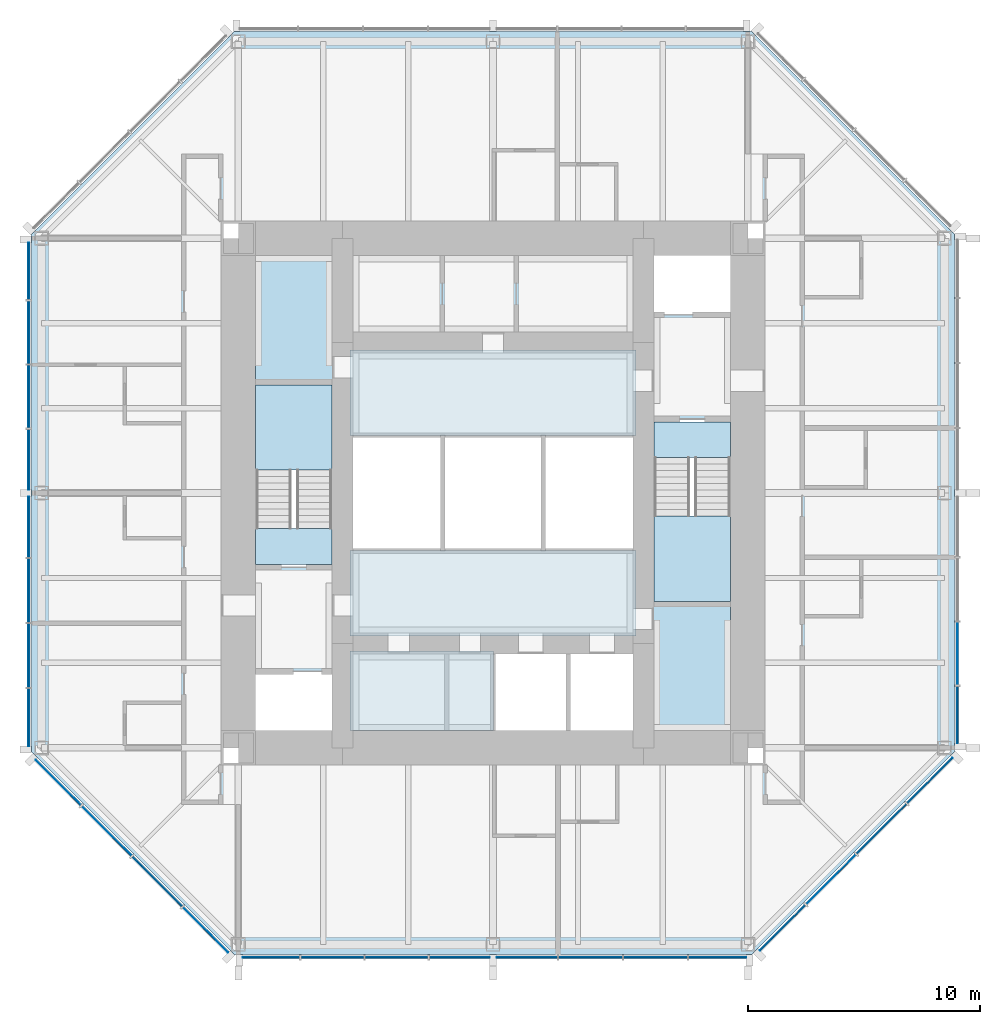
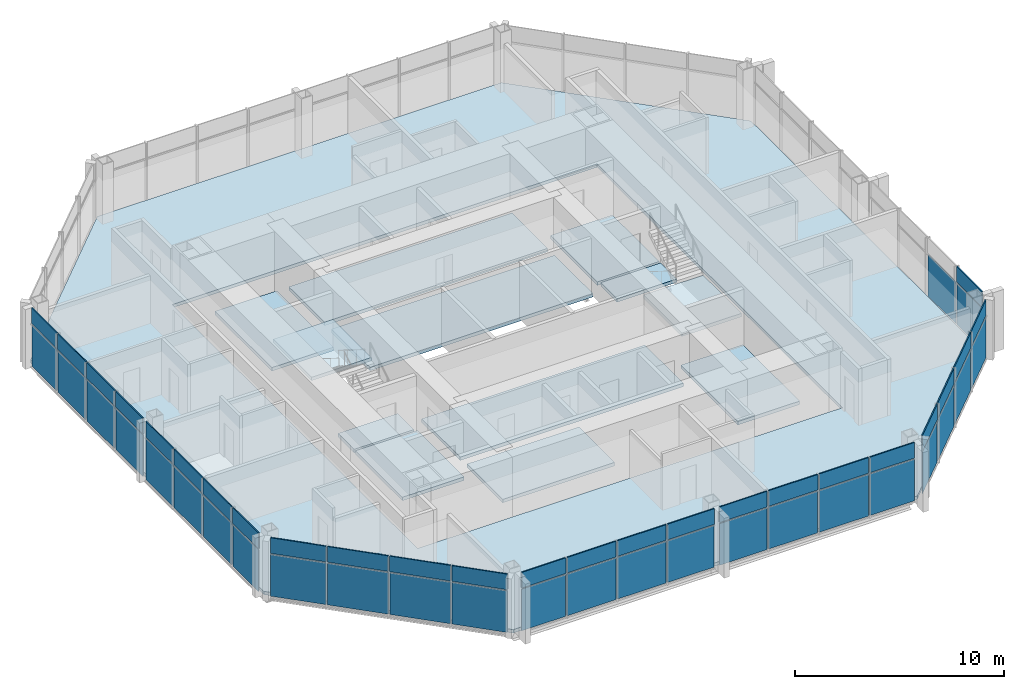
# One storey, part 6 of 11: 51 plates, 13 slabs, 7 elements without a shape of their own.
"""IFC4 building model written with IfcOpenShell, lengths in metres."""

from ifc_helpers import new_model, si_unit, direction, frame, origin, origin_2d, place, context, subcontext, project, spatial, polyline, rectangle, outline, extrude, material, layer, layer_set, type_object, element, aggregate, save


model = new_model("IFC4")

# Units and contexts
model_context = context("Model", 3, precision=1e-05, world=origin(), true_north=direction((0.0, 1.0)))
body_context = subcontext(model_context, "Body", "Model", "MODEL_VIEW")
ifc_project = project(units=[si_unit("LENGTHUNIT", "METRE"), si_unit("AREAUNIT", "SQUARE_METRE"), si_unit("VOLUMEUNIT", "CUBIC_METRE"), si_unit("PLANEANGLEUNIT", "RADIAN"), si_unit("MASSUNIT", "GRAM", prefix="KILO")], contexts=[model_context])

# Site, building, storey
site_placement = place(None, origin())
site = spatial("IfcSite", under=ifc_project, at=site_placement, CompositionType="ELEMENT")
building_placement = place(site_placement, origin())
building = spatial("IfcBuilding", under=site, at=building_placement, Name="Trevanion Tower", CompositionType="ELEMENT")
storey_placement = place(building_placement, frame((0.0, 0.0, 246.699951171875)))
storey = spatial("IfcBuildingStorey", under=building, at=storey_placement, Name="L60", CompositionType="ELEMENT", Elevation=246.699951171875)

# Curtain wall, plate
ifc_material_1 = material(Name="Aluminium and glass", Category="aluminium")
curtain_wall_type = type_object("IfcCurtainWallType", Name="CW3 curtain wall", PredefinedType="USERDEFINED", material=ifc_material_1)
curtain_wall_1_placement = place(storey_placement, origin())
curtain_wall_1 = element("IfcCurtainWall", 1, at=curtain_wall_1_placement, inside=storey, type_object=curtain_wall_type, Name="CW3 L60 0", ObjectType="UNITISED CURTAIN WALL", PredefinedType="USERDEFINED")
ifc_material_2 = material(Name="Aluminium spandrel panel", Category="aluminium")
ifc_layer_1 = layer(ifc_material_2, 0.06005859375)
ifc_layer_set_1 = layer_set([ifc_layer_1], Name="CW3 spandrel panel")
plate_type_1 = type_object("IfcPlateType", Name="CW3 spandrel panel", PredefinedType="CURTAIN_PANEL", material=ifc_layer_set_1)
plate_1_placement = place(storey_placement, frame((20.050048828125, -9.579345703125, 2.3974609375), z_axis=(0.0, 0.0, 1.0), x_axis=(0.0, 1.0, 0.0)))
plate_1 = element("IfcPlate", 2, at=plate_1_placement, type_object=plate_type_1, Name="CW3 panel 1.2", PredefinedType="CURTAIN_PANEL", context=body_context, shape_type="SweptSolid", body=[
    extrude(rectangle(XDim=2.43701171875, YDim=0.06005859375, at=origin_2d()), origin(), (0.0, 0.0, 1.0), 0.91259765625),
])

# Curtain wall, plates
curtain_wall_2_placement = place(storey_placement, origin())
curtain_wall_2 = element("IfcCurtainWall", 3, at=curtain_wall_2_placement, inside=storey, type_object=curtain_wall_type, Name="CW3 L60 4", ObjectType="UNITISED CURTAIN WALL", PredefinedType="USERDEFINED")
plate_2_placement = place(storey_placement, frame((-20.050048828125, 9.579345703125, 2.3974609375), z_axis=(0.0, 0.0, 1.0), x_axis=(0.0, -1.0, 0.0)))
plate_2 = element("IfcPlate", 4, at=plate_2_placement, type_object=plate_type_1, Name="CW3 panel 1.2", PredefinedType="CURTAIN_PANEL", context=body_context, shape_type="SweptSolid", body=[
    extrude(rectangle(XDim=2.43701171875, YDim=0.06005859375, at=origin_2d()), origin(), (0.0, 0.0, 1.0), 0.91259765625),
])
plate_3_placement = place(storey_placement, frame((-20.050048828125, 6.93603515625, 2.3974609375), z_axis=(0.0, 0.0, 1.0), x_axis=(0.0, -1.0, 0.0)))
plate_3 = element("IfcPlate", 5, at=plate_3_placement, type_object=plate_type_1, Name="CW3 panel 2.2", PredefinedType="CURTAIN_PANEL", context=body_context, shape_type="SweptSolid", body=[
    extrude(rectangle(XDim=2.699462890625, YDim=0.06005859375, at=origin_2d()), origin(), (0.0, 0.0, 1.0), 0.91259765625),
])
plate_4_placement = place(storey_placement, frame((-20.050048828125, 4.16162109375, 2.3974609375), z_axis=(0.0, 0.0, 1.0), x_axis=(0.0, -1.0, 0.0)))
plate_4 = element("IfcPlate", 6, at=plate_4_placement, type_object=plate_type_1, Name="CW3 panel 3.2", PredefinedType="CURTAIN_PANEL", context=body_context, shape_type="SweptSolid", body=[
    extrude(rectangle(XDim=2.699462890625, YDim=0.06005859375, at=origin_2d()), origin(), (0.0, 0.0, 1.0), 0.91259765625),
])
plate_5_placement = place(storey_placement, frame((-20.050048828125, 1.443603515625, 2.3974609375), z_axis=(0.0, 0.0, 1.0), x_axis=(0.0, -1.0, 0.0)))
plate_5 = element("IfcPlate", 7, at=plate_5_placement, type_object=plate_type_1, Name="CW3 panel 4.2", PredefinedType="CURTAIN_PANEL", context=body_context, shape_type="SweptSolid", body=[
    extrude(rectangle(XDim=2.5869140625, YDim=0.06005859375, at=origin_2d()), origin(), (0.0, 0.0, 1.0), 0.91259765625),
])
plate_6_placement = place(storey_placement, frame((-20.050048828125, -1.459716796875, 2.3974609375), z_axis=(0.0, 0.0, 1.0), x_axis=(0.0, -1.0, 0.0)))
plate_6 = element("IfcPlate", 8, at=plate_6_placement, type_object=plate_type_1, Name="CW3 panel 5.2", PredefinedType="CURTAIN_PANEL", context=body_context, shape_type="SweptSolid", body=[
    extrude(rectangle(XDim=2.619384765625, YDim=0.06005859375, at=origin_2d()), origin(), (0.0, 0.0, 1.0), 0.91259765625),
])
plate_7_placement = place(storey_placement, frame((-20.050048828125, -4.21044921875, 2.3974609375), z_axis=(0.0, 0.0, 1.0), x_axis=(0.0, -1.0, 0.0)))
plate_7 = element("IfcPlate", 9, at=plate_7_placement, type_object=plate_type_1, Name="CW3 panel 6.2", PredefinedType="CURTAIN_PANEL", context=body_context, shape_type="SweptSolid", body=[
    extrude(rectangle(XDim=2.73193359375, YDim=0.06005859375, at=origin_2d()), origin(), (0.0, 0.0, 1.0), 0.91259765625),
])
plate_8_placement = place(storey_placement, frame((-20.050048828125, -7.017333984375, 2.3974609375), z_axis=(0.0, 0.0, 1.0), x_axis=(0.0, -1.0, 0.0)))
plate_8 = element("IfcPlate", 10, at=plate_8_placement, type_object=plate_type_1, Name="CW3 panel 7.2", PredefinedType="CURTAIN_PANEL", context=body_context, shape_type="SweptSolid", body=[
    extrude(rectangle(XDim=2.73193359375, YDim=0.06005859375, at=origin_2d()), origin(), (0.0, 0.0, 1.0), 0.91259765625),
])
plate_9_placement = place(storey_placement, frame((-20.050048828125, -9.693115234375, 2.3974609375), z_axis=(0.0, 0.0, 1.0), x_axis=(0.0, -1.0, 0.0)))
plate_9 = element("IfcPlate", 11, at=plate_9_placement, type_object=plate_type_1, Name="CW3 panel 8.2", PredefinedType="CURTAIN_PANEL", context=body_context, shape_type="SweptSolid", body=[
    extrude(rectangle(XDim=2.469482421875, YDim=0.06005859375, at=origin_2d()), origin(), (0.0, 0.0, 1.0), 0.91259765625),
])

curtain_wall_3_placement = place(storey_placement, origin())
curtain_wall_3 = element("IfcCurtainWall", 12, at=curtain_wall_3_placement, inside=storey, type_object=curtain_wall_type, Name="CW3 L60 5", ObjectType="UNITISED CURTAIN WALL", PredefinedType="USERDEFINED")
plate_10_placement = place(storey_placement, frame((-18.77392578125, -12.50390625, 2.3974609375), z_axis=(0.0, 0.0, 1.0), x_axis=(0.707106781187, -0.707106781187, 0.0)))
plate_10 = element("IfcPlate", 13, at=plate_10_placement, type_object=plate_type_1, Name="CW3 panel 1.2", PredefinedType="CURTAIN_PANEL", context=body_context, shape_type="SweptSolid", body=[
    extrude(rectangle(XDim=2.7490234375, YDim=0.06005859375, at=origin_2d()), origin(), (0.0, 0.0, 1.0), 0.91259765625),
])
plate_11_placement = place(storey_placement, frame((-16.68408203125, -14.593505859375, 2.3974609375), z_axis=(0.0, 0.0, 1.0), x_axis=(0.707106781187, -0.707106781187, 0.0)))
plate_11 = element("IfcPlate", 14, at=plate_11_placement, type_object=plate_type_1, Name="CW3 panel 2.2", PredefinedType="CURTAIN_PANEL", context=body_context, shape_type="SweptSolid", body=[
    extrude(rectangle(XDim=3.01171875, YDim=0.06005859375, at=origin_2d()), origin(), (0.0, 0.0, 1.0), 0.91259765625),
])
plate_12_placement = place(storey_placement, frame((-14.501708984375, -16.776123046875, 2.3974609375), z_axis=(0.0, 0.0, 1.0), x_axis=(0.707106781187, -0.707106781187, 0.0)))
plate_12 = element("IfcPlate", 15, at=plate_12_placement, type_object=plate_type_1, Name="CW3 panel 3.2", PredefinedType="CURTAIN_PANEL", context=body_context, shape_type="SweptSolid", body=[
    extrude(rectangle(XDim=3.01171875, YDim=0.06005859375, at=origin_2d()), origin(), (0.0, 0.0, 1.0), 0.91259765625),
])
plate_13_placement = place(storey_placement, frame((-12.411865234375, -18.865966796875, 2.3974609375), z_axis=(0.0, 0.0, 1.0), x_axis=(0.707106781187, -0.707106781187, 0.0)))
plate_13 = element("IfcPlate", 16, at=plate_13_placement, type_object=plate_type_1, Name="CW3 panel 4.2", PredefinedType="CURTAIN_PANEL", context=body_context, shape_type="SweptSolid", body=[
    extrude(rectangle(XDim=2.7490234375, YDim=0.06005859375, at=origin_2d()), origin(), (0.0, 0.0, 1.0), 0.91259765625),
])

curtain_wall_4_placement = place(storey_placement, origin())
curtain_wall_4 = element("IfcCurtainWall", 17, at=curtain_wall_4_placement, inside=storey, type_object=curtain_wall_type, Name="CW3 L60 6", ObjectType="UNITISED CURTAIN WALL", PredefinedType="USERDEFINED")
plate_14_placement = place(storey_placement, frame((-9.579345703125, -20.050048828125, 2.3974609375), z_axis=(0.0, 0.0, 1.0), x_axis=(1.0, 0.0, 0.0)))
plate_14 = element("IfcPlate", 18, at=plate_14_placement, type_object=plate_type_1, Name="CW3 panel 1.2", PredefinedType="CURTAIN_PANEL", context=body_context, shape_type="SweptSolid", body=[
    extrude(rectangle(XDim=2.43701171875, YDim=0.06005859375, at=origin_2d()), origin(), (0.0, 0.0, 1.0), 0.91259765625),
])
plate_15_placement = place(storey_placement, frame((-6.93603515625, -20.050048828125, 2.3974609375), z_axis=(0.0, 0.0, 1.0), x_axis=(1.0, 0.0, 0.0)))
plate_15 = element("IfcPlate", 19, at=plate_15_placement, type_object=plate_type_1, Name="CW3 panel 2.2", PredefinedType="CURTAIN_PANEL", context=body_context, shape_type="SweptSolid", body=[
    extrude(rectangle(XDim=2.699462890625, YDim=0.06005859375, at=origin_2d()), origin(), (0.0, 0.0, 1.0), 0.91259765625),
])
plate_16_placement = place(storey_placement, frame((-4.16162109375, -20.050048828125, 2.3974609375), z_axis=(0.0, 0.0, 1.0), x_axis=(1.0, 0.0, 0.0)))
plate_16 = element("IfcPlate", 20, at=plate_16_placement, type_object=plate_type_1, Name="CW3 panel 3.2", PredefinedType="CURTAIN_PANEL", context=body_context, shape_type="SweptSolid", body=[
    extrude(rectangle(XDim=2.699462890625, YDim=0.06005859375, at=origin_2d()), origin(), (0.0, 0.0, 1.0), 0.91259765625),
])
plate_17_placement = place(storey_placement, frame((-1.443603515625, -20.050048828125, 2.3974609375), z_axis=(0.0, 0.0, 1.0), x_axis=(1.0, 0.0, 0.0)))
plate_17 = element("IfcPlate", 21, at=plate_17_placement, type_object=plate_type_1, Name="CW3 panel 4.2", PredefinedType="CURTAIN_PANEL", context=body_context, shape_type="SweptSolid", body=[
    extrude(rectangle(XDim=2.5869140625, YDim=0.06005859375, at=origin_2d()), origin(), (0.0, 0.0, 1.0), 0.91259765625),
])
plate_18_placement = place(storey_placement, frame((1.459716796875, -20.050048828125, 2.3974609375), z_axis=(0.0, 0.0, 1.0), x_axis=(1.0, 0.0, 0.0)))
plate_18 = element("IfcPlate", 22, at=plate_18_placement, type_object=plate_type_1, Name="CW3 panel 5.2", PredefinedType="CURTAIN_PANEL", context=body_context, shape_type="SweptSolid", body=[
    extrude(rectangle(XDim=2.619384765625, YDim=0.06005859375, at=origin_2d()), origin(), (0.0, 0.0, 1.0), 0.91259765625),
])
plate_19_placement = place(storey_placement, frame((4.21044921875, -20.050048828125, 2.3974609375), z_axis=(0.0, 0.0, 1.0), x_axis=(1.0, 0.0, 0.0)))
plate_19 = element("IfcPlate", 23, at=plate_19_placement, type_object=plate_type_1, Name="CW3 panel 6.2", PredefinedType="CURTAIN_PANEL", context=body_context, shape_type="SweptSolid", body=[
    extrude(rectangle(XDim=2.73193359375, YDim=0.06005859375, at=origin_2d()), origin(), (0.0, 0.0, 1.0), 0.91259765625),
])
plate_20_placement = place(storey_placement, frame((7.017333984375, -20.050048828125, 2.3974609375), z_axis=(0.0, 0.0, 1.0), x_axis=(1.0, 0.0, 0.0)))
plate_20 = element("IfcPlate", 24, at=plate_20_placement, type_object=plate_type_1, Name="CW3 panel 7.2", PredefinedType="CURTAIN_PANEL", context=body_context, shape_type="SweptSolid", body=[
    extrude(rectangle(XDim=2.73193359375, YDim=0.06005859375, at=origin_2d()), origin(), (0.0, 0.0, 1.0), 0.91259765625),
])
plate_21_placement = place(storey_placement, frame((9.693115234375, -20.050048828125, 2.3974609375), z_axis=(0.0, 0.0, 1.0), x_axis=(1.0, 0.0, 0.0)))
plate_21 = element("IfcPlate", 25, at=plate_21_placement, type_object=plate_type_1, Name="CW3 panel 8.2", PredefinedType="CURTAIN_PANEL", context=body_context, shape_type="SweptSolid", body=[
    extrude(rectangle(XDim=2.469482421875, YDim=0.06005859375, at=origin_2d()), origin(), (0.0, 0.0, 1.0), 0.91259765625),
])

curtain_wall_5_placement = place(storey_placement, origin())
curtain_wall_5 = element("IfcCurtainWall", 26, at=curtain_wall_5_placement, inside=storey, type_object=curtain_wall_type, Name="CW3 L60 7", ObjectType="UNITISED CURTAIN WALL", PredefinedType="USERDEFINED")
plate_22_placement = place(storey_placement, frame((12.50390625, -18.77392578125, 2.3974609375), z_axis=(0.0, 0.0, 1.0), x_axis=(0.707106781187, 0.707106781187, 0.0)))
plate_22 = element("IfcPlate", 27, at=plate_22_placement, type_object=plate_type_1, Name="CW3 panel 1.2", PredefinedType="CURTAIN_PANEL", context=body_context, shape_type="SweptSolid", body=[
    extrude(rectangle(XDim=2.7490234375, YDim=0.06005859375, at=origin_2d()), origin(), (0.0, 0.0, 1.0), 0.91259765625),
])
plate_23_placement = place(storey_placement, frame((14.593505859375, -16.68408203125, 2.3974609375), z_axis=(0.0, 0.0, 1.0), x_axis=(0.707106781187, 0.707106781187, 0.0)))
plate_23 = element("IfcPlate", 28, at=plate_23_placement, type_object=plate_type_1, Name="CW3 panel 2.2", PredefinedType="CURTAIN_PANEL", context=body_context, shape_type="SweptSolid", body=[
    extrude(rectangle(XDim=3.01171875, YDim=0.06005859375, at=origin_2d()), origin(), (0.0, 0.0, 1.0), 0.91259765625),
])
plate_24_placement = place(storey_placement, frame((16.776123046875, -14.501708984375, 2.3974609375), z_axis=(0.0, 0.0, 1.0), x_axis=(0.707106781187, 0.707106781187, 0.0)))
plate_24 = element("IfcPlate", 29, at=plate_24_placement, type_object=plate_type_1, Name="CW3 panel 3.2", PredefinedType="CURTAIN_PANEL", context=body_context, shape_type="SweptSolid", body=[
    extrude(rectangle(XDim=3.01171875, YDim=0.06005859375, at=origin_2d()), origin(), (0.0, 0.0, 1.0), 0.91259765625),
])
plate_25_placement = place(storey_placement, frame((18.865966796875, -12.411865234375, 2.3974609375), z_axis=(0.0, 0.0, 1.0), x_axis=(0.707106781187, 0.707106781187, 0.0)))
plate_25 = element("IfcPlate", 30, at=plate_25_placement, type_object=plate_type_1, Name="CW3 panel 4.2", PredefinedType="CURTAIN_PANEL", context=body_context, shape_type="SweptSolid", body=[
    extrude(rectangle(XDim=2.7490234375, YDim=0.06005859375, at=origin_2d()), origin(), (0.0, 0.0, 1.0), 0.91259765625),
])

# Plate
ifc_material_3 = material(Name="Insulating glass unit", Category="glass")
ifc_layer_2 = layer(ifc_material_3, 0.028076171875)
ifc_layer_set_2 = layer_set([ifc_layer_2], Name="CW3 vision panel")
plate_type_2 = type_object("IfcPlateType", Name="CW3 vision panel", PredefinedType="CURTAIN_PANEL", material=ifc_layer_set_2)
plate_26_placement = place(storey_placement, frame((20.050048828125, -9.579345703125, -0.114990234375), z_axis=(0.0, 0.0, 1.0), x_axis=(0.0, 1.0, 0.0)))
plate_26 = element("IfcPlate", 31, at=plate_26_placement, type_object=plate_type_2, Name="CW3 panel 1.1", PredefinedType="CURTAIN_PANEL", context=body_context, shape_type="SweptSolid", body=[
    extrude(rectangle(XDim=2.43701171875, YDim=0.028076171875, at=origin_2d()), origin(), (0.0, 0.0, 1.0), 2.4375),
])

plate_27_placement = place(storey_placement, frame((20.050048828125, -6.93603515625, -0.114990234375), z_axis=(0.0, 0.0, 1.0), x_axis=(0.0, 1.0, 0.0)))
plate_27 = element("IfcPlate", 32, at=plate_27_placement, type_object=plate_type_2, Name="CW3 panel 2.1", PredefinedType="CURTAIN_PANEL", context=body_context, shape_type="SweptSolid", body=[
    extrude(rectangle(XDim=2.699462890625, YDim=0.028076171875, at=origin_2d()), origin(), (0.0, 0.0, 1.0), 2.4375),
])

aggregate(curtain_wall_1, [plate_26, plate_1, plate_27])

plate_28_placement = place(storey_placement, frame((-20.050048828125, 9.579345703125, -0.114990234375), z_axis=(0.0, 0.0, 1.0), x_axis=(0.0, -1.0, 0.0)))
plate_28 = element("IfcPlate", 33, at=plate_28_placement, type_object=plate_type_2, Name="CW3 panel 1.1", PredefinedType="CURTAIN_PANEL", context=body_context, shape_type="SweptSolid", body=[
    extrude(rectangle(XDim=2.43701171875, YDim=0.028076171875, at=origin_2d()), origin(), (0.0, 0.0, 1.0), 2.4375),
])

plate_29_placement = place(storey_placement, frame((-20.050048828125, 6.93603515625, -0.114990234375), z_axis=(0.0, 0.0, 1.0), x_axis=(0.0, -1.0, 0.0)))
plate_29 = element("IfcPlate", 34, at=plate_29_placement, type_object=plate_type_2, Name="CW3 panel 2.1", PredefinedType="CURTAIN_PANEL", context=body_context, shape_type="SweptSolid", body=[
    extrude(rectangle(XDim=2.699462890625, YDim=0.028076171875, at=origin_2d()), origin(), (0.0, 0.0, 1.0), 2.4375),
])

plate_30_placement = place(storey_placement, frame((-20.050048828125, 4.16162109375, -0.114990234375), z_axis=(0.0, 0.0, 1.0), x_axis=(0.0, -1.0, 0.0)))
plate_30 = element("IfcPlate", 35, at=plate_30_placement, type_object=plate_type_2, Name="CW3 panel 3.1", PredefinedType="CURTAIN_PANEL", context=body_context, shape_type="SweptSolid", body=[
    extrude(rectangle(XDim=2.699462890625, YDim=0.028076171875, at=origin_2d()), origin(), (0.0, 0.0, 1.0), 2.4375),
])

plate_31_placement = place(storey_placement, frame((-20.050048828125, 1.443603515625, -0.114990234375), z_axis=(0.0, 0.0, 1.0), x_axis=(0.0, -1.0, 0.0)))
plate_31 = element("IfcPlate", 36, at=plate_31_placement, type_object=plate_type_2, Name="CW3 panel 4.1", PredefinedType="CURTAIN_PANEL", context=body_context, shape_type="SweptSolid", body=[
    extrude(rectangle(XDim=2.5869140625, YDim=0.028076171875, at=origin_2d()), origin(), (0.0, 0.0, 1.0), 2.4375),
])

plate_32_placement = place(storey_placement, frame((-20.050048828125, -1.459716796875, -0.114990234375), z_axis=(0.0, 0.0, 1.0), x_axis=(0.0, -1.0, 0.0)))
plate_32 = element("IfcPlate", 37, at=plate_32_placement, type_object=plate_type_2, Name="CW3 panel 5.1", PredefinedType="CURTAIN_PANEL", context=body_context, shape_type="SweptSolid", body=[
    extrude(rectangle(XDim=2.619384765625, YDim=0.028076171875, at=origin_2d()), origin(), (0.0, 0.0, 1.0), 2.4375),
])

plate_33_placement = place(storey_placement, frame((-20.050048828125, -4.21044921875, -0.114990234375), z_axis=(0.0, 0.0, 1.0), x_axis=(0.0, -1.0, 0.0)))
plate_33 = element("IfcPlate", 38, at=plate_33_placement, type_object=plate_type_2, Name="CW3 panel 6.1", PredefinedType="CURTAIN_PANEL", context=body_context, shape_type="SweptSolid", body=[
    extrude(rectangle(XDim=2.73193359375, YDim=0.028076171875, at=origin_2d()), origin(), (0.0, 0.0, 1.0), 2.4375),
])

plate_34_placement = place(storey_placement, frame((-20.050048828125, -7.017333984375, -0.114990234375), z_axis=(0.0, 0.0, 1.0), x_axis=(0.0, -1.0, 0.0)))
plate_34 = element("IfcPlate", 39, at=plate_34_placement, type_object=plate_type_2, Name="CW3 panel 7.1", PredefinedType="CURTAIN_PANEL", context=body_context, shape_type="SweptSolid", body=[
    extrude(rectangle(XDim=2.73193359375, YDim=0.028076171875, at=origin_2d()), origin(), (0.0, 0.0, 1.0), 2.4375),
])

plate_35_placement = place(storey_placement, frame((-20.050048828125, -9.693115234375, -0.114990234375), z_axis=(0.0, 0.0, 1.0), x_axis=(0.0, -1.0, 0.0)))
plate_35 = element("IfcPlate", 40, at=plate_35_placement, type_object=plate_type_2, Name="CW3 panel 8.1", PredefinedType="CURTAIN_PANEL", context=body_context, shape_type="SweptSolid", body=[
    extrude(rectangle(XDim=2.469482421875, YDim=0.028076171875, at=origin_2d()), origin(), (0.0, 0.0, 1.0), 2.4375),
])

aggregate(curtain_wall_2, [plate_28, plate_2, plate_29, plate_3, plate_30, plate_4, plate_31, plate_5, plate_32, plate_6, plate_33, plate_7, plate_34, plate_8, plate_35, plate_9])

plate_36_placement = place(storey_placement, frame((-18.77392578125, -12.50390625, -0.114990234375), z_axis=(0.0, 0.0, 1.0), x_axis=(0.707106781187, -0.707106781187, 0.0)))
plate_36 = element("IfcPlate", 41, at=plate_36_placement, type_object=plate_type_2, Name="CW3 panel 1.1", PredefinedType="CURTAIN_PANEL", context=body_context, shape_type="SweptSolid", body=[
    extrude(rectangle(XDim=2.7490234375, YDim=0.028076171875, at=origin_2d()), origin(), (0.0, 0.0, 1.0), 2.4375),
])

plate_37_placement = place(storey_placement, frame((-16.68408203125, -14.593505859375, -0.114990234375), z_axis=(0.0, 0.0, 1.0), x_axis=(0.707106781187, -0.707106781187, 0.0)))
plate_37 = element("IfcPlate", 42, at=plate_37_placement, type_object=plate_type_2, Name="CW3 panel 2.1", PredefinedType="CURTAIN_PANEL", context=body_context, shape_type="SweptSolid", body=[
    extrude(rectangle(XDim=3.01171875, YDim=0.028076171875, at=origin_2d()), origin(), (0.0, 0.0, 1.0), 2.4375),
])

plate_38_placement = place(storey_placement, frame((-14.501708984375, -16.776123046875, -0.114990234375), z_axis=(0.0, 0.0, 1.0), x_axis=(0.707106781187, -0.707106781187, 0.0)))
plate_38 = element("IfcPlate", 43, at=plate_38_placement, type_object=plate_type_2, Name="CW3 panel 3.1", PredefinedType="CURTAIN_PANEL", context=body_context, shape_type="SweptSolid", body=[
    extrude(rectangle(XDim=3.01171875, YDim=0.028076171875, at=origin_2d()), origin(), (0.0, 0.0, 1.0), 2.4375),
])

plate_39_placement = place(storey_placement, frame((-12.411865234375, -18.865966796875, -0.114990234375), z_axis=(0.0, 0.0, 1.0), x_axis=(0.707106781187, -0.707106781187, 0.0)))
plate_39 = element("IfcPlate", 44, at=plate_39_placement, type_object=plate_type_2, Name="CW3 panel 4.1", PredefinedType="CURTAIN_PANEL", context=body_context, shape_type="SweptSolid", body=[
    extrude(rectangle(XDim=2.7490234375, YDim=0.028076171875, at=origin_2d()), origin(), (0.0, 0.0, 1.0), 2.4375),
])

aggregate(curtain_wall_3, [plate_36, plate_10, plate_37, plate_11, plate_38, plate_12, plate_39, plate_13])

plate_40_placement = place(storey_placement, frame((-9.579345703125, -20.050048828125, -0.114990234375), z_axis=(0.0, 0.0, 1.0), x_axis=(1.0, 0.0, 0.0)))
plate_40 = element("IfcPlate", 45, at=plate_40_placement, type_object=plate_type_2, Name="CW3 panel 1.1", PredefinedType="CURTAIN_PANEL", context=body_context, shape_type="SweptSolid", body=[
    extrude(rectangle(XDim=2.43701171875, YDim=0.028076171875, at=origin_2d()), origin(), (0.0, 0.0, 1.0), 2.4375),
])

plate_41_placement = place(storey_placement, frame((-6.93603515625, -20.050048828125, -0.114990234375), z_axis=(0.0, 0.0, 1.0), x_axis=(1.0, 0.0, 0.0)))
plate_41 = element("IfcPlate", 46, at=plate_41_placement, type_object=plate_type_2, Name="CW3 panel 2.1", PredefinedType="CURTAIN_PANEL", context=body_context, shape_type="SweptSolid", body=[
    extrude(rectangle(XDim=2.699462890625, YDim=0.028076171875, at=origin_2d()), origin(), (0.0, 0.0, 1.0), 2.4375),
])

plate_42_placement = place(storey_placement, frame((-4.16162109375, -20.050048828125, -0.114990234375), z_axis=(0.0, 0.0, 1.0), x_axis=(1.0, 0.0, 0.0)))
plate_42 = element("IfcPlate", 47, at=plate_42_placement, type_object=plate_type_2, Name="CW3 panel 3.1", PredefinedType="CURTAIN_PANEL", context=body_context, shape_type="SweptSolid", body=[
    extrude(rectangle(XDim=2.699462890625, YDim=0.028076171875, at=origin_2d()), origin(), (0.0, 0.0, 1.0), 2.4375),
])

plate_43_placement = place(storey_placement, frame((-1.443603515625, -20.050048828125, -0.114990234375), z_axis=(0.0, 0.0, 1.0), x_axis=(1.0, 0.0, 0.0)))
plate_43 = element("IfcPlate", 48, at=plate_43_placement, type_object=plate_type_2, Name="CW3 panel 4.1", PredefinedType="CURTAIN_PANEL", context=body_context, shape_type="SweptSolid", body=[
    extrude(rectangle(XDim=2.5869140625, YDim=0.028076171875, at=origin_2d()), origin(), (0.0, 0.0, 1.0), 2.4375),
])

plate_44_placement = place(storey_placement, frame((1.459716796875, -20.050048828125, -0.114990234375), z_axis=(0.0, 0.0, 1.0), x_axis=(1.0, 0.0, 0.0)))
plate_44 = element("IfcPlate", 49, at=plate_44_placement, type_object=plate_type_2, Name="CW3 panel 5.1", PredefinedType="CURTAIN_PANEL", context=body_context, shape_type="SweptSolid", body=[
    extrude(rectangle(XDim=2.619384765625, YDim=0.028076171875, at=origin_2d()), origin(), (0.0, 0.0, 1.0), 2.4375),
])

plate_45_placement = place(storey_placement, frame((4.21044921875, -20.050048828125, -0.114990234375), z_axis=(0.0, 0.0, 1.0), x_axis=(1.0, 0.0, 0.0)))
plate_45 = element("IfcPlate", 50, at=plate_45_placement, type_object=plate_type_2, Name="CW3 panel 6.1", PredefinedType="CURTAIN_PANEL", context=body_context, shape_type="SweptSolid", body=[
    extrude(rectangle(XDim=2.73193359375, YDim=0.028076171875, at=origin_2d()), origin(), (0.0, 0.0, 1.0), 2.4375),
])

plate_46_placement = place(storey_placement, frame((7.017333984375, -20.050048828125, -0.114990234375), z_axis=(0.0, 0.0, 1.0), x_axis=(1.0, 0.0, 0.0)))
plate_46 = element("IfcPlate", 51, at=plate_46_placement, type_object=plate_type_2, Name="CW3 panel 7.1", PredefinedType="CURTAIN_PANEL", context=body_context, shape_type="SweptSolid", body=[
    extrude(rectangle(XDim=2.73193359375, YDim=0.028076171875, at=origin_2d()), origin(), (0.0, 0.0, 1.0), 2.4375),
])

plate_47_placement = place(storey_placement, frame((9.693115234375, -20.050048828125, -0.114990234375), z_axis=(0.0, 0.0, 1.0), x_axis=(1.0, 0.0, 0.0)))
plate_47 = element("IfcPlate", 52, at=plate_47_placement, type_object=plate_type_2, Name="CW3 panel 8.1", PredefinedType="CURTAIN_PANEL", context=body_context, shape_type="SweptSolid", body=[
    extrude(rectangle(XDim=2.469482421875, YDim=0.028076171875, at=origin_2d()), origin(), (0.0, 0.0, 1.0), 2.4375),
])

aggregate(curtain_wall_4, [plate_40, plate_14, plate_41, plate_15, plate_42, plate_16, plate_43, plate_17, plate_44, plate_18, plate_45, plate_19, plate_46, plate_20, plate_47, plate_21])

plate_48_placement = place(storey_placement, frame((12.50390625, -18.77392578125, -0.114990234375), z_axis=(0.0, 0.0, 1.0), x_axis=(0.707106781187, 0.707106781187, 0.0)))
plate_48 = element("IfcPlate", 53, at=plate_48_placement, type_object=plate_type_2, Name="CW3 panel 1.1", PredefinedType="CURTAIN_PANEL", context=body_context, shape_type="SweptSolid", body=[
    extrude(rectangle(XDim=2.7490234375, YDim=0.028076171875, at=origin_2d()), origin(), (0.0, 0.0, 1.0), 2.4375),
])

plate_49_placement = place(storey_placement, frame((14.593505859375, -16.68408203125, -0.114990234375), z_axis=(0.0, 0.0, 1.0), x_axis=(0.707106781187, 0.707106781187, 0.0)))
plate_49 = element("IfcPlate", 54, at=plate_49_placement, type_object=plate_type_2, Name="CW3 panel 2.1", PredefinedType="CURTAIN_PANEL", context=body_context, shape_type="SweptSolid", body=[
    extrude(rectangle(XDim=3.01171875, YDim=0.028076171875, at=origin_2d()), origin(), (0.0, 0.0, 1.0), 2.4375),
])

plate_50_placement = place(storey_placement, frame((16.776123046875, -14.501708984375, -0.114990234375), z_axis=(0.0, 0.0, 1.0), x_axis=(0.707106781187, 0.707106781187, 0.0)))
plate_50 = element("IfcPlate", 55, at=plate_50_placement, type_object=plate_type_2, Name="CW3 panel 3.1", PredefinedType="CURTAIN_PANEL", context=body_context, shape_type="SweptSolid", body=[
    extrude(rectangle(XDim=3.01171875, YDim=0.028076171875, at=origin_2d()), origin(), (0.0, 0.0, 1.0), 2.4375),
])

plate_51_placement = place(storey_placement, frame((18.865966796875, -12.411865234375, -0.114990234375), z_axis=(0.0, 0.0, 1.0), x_axis=(0.707106781187, 0.707106781187, 0.0)))
plate_51 = element("IfcPlate", 56, at=plate_51_placement, type_object=plate_type_2, Name="CW3 panel 4.1", PredefinedType="CURTAIN_PANEL", context=body_context, shape_type="SweptSolid", body=[
    extrude(rectangle(XDim=2.7490234375, YDim=0.028076171875, at=origin_2d()), origin(), (0.0, 0.0, 1.0), 2.4375),
])

aggregate(curtain_wall_5, [plate_48, plate_22, plate_49, plate_23, plate_50, plate_24, plate_51, plate_25])

# Slabs
ifc_material_4 = material(Name="Concrete 5,000 psi on composite metal deck", Category="concrete")
ifc_layer_3 = layer(ifc_material_4, 0.18994140625)
ifc_layer_set_3 = layer_set([ifc_layer_3], Name="SL1 composite floor 190")
slab_type_1 = type_object("IfcSlabType", Name="SL1 composite floor 190", PredefinedType="FLOOR", material=ifc_layer_set_3)
slab_1_placement = place(storey_placement, frame((0.0, 0.0, -0.18994140625)))
element("IfcSlab", 57, at=slab_1_placement, inside=storey, type_object=slab_type_1, Name="SL1 L60 floor", PredefinedType="FLOOR", context=body_context, shape_type="SweptSolid", body=[
    extrude(outline(polyline([(19.919921875, -11.174072265625), (19.919921875, 11.174072265625), (11.174072265625, 19.919921875), (-11.174072265625, 19.919921875), (-19.919921875, 11.174072265625), (-19.919921875, -11.174072265625), (-11.174072265625, -19.919921875), (11.174072265625, -19.919921875), (19.919921875, -11.174072265625)]), holes=[polyline([(11.75, -11.75), (11.75, 11.75), (-11.75, 11.75), (-11.75, -11.75), (11.75, -11.75)])]), origin(), (0.0, 0.0, 1.0), 0.18994140625),
])
ifc_material_5 = material(Name="Concrete 5,000 psi", Category="concrete")
ifc_layer_4 = layer(ifc_material_5, 0.199951171875)
ifc_layer_set_4 = layer_set([ifc_layer_4], Name="SL2 core floor 200")
slab_type_2 = type_object("IfcSlabType", Name="SL2 core floor 200", PredefinedType="FLOOR", material=ifc_layer_set_4)
slab_2_placement = place(storey_placement, frame((0.0, 0.0, -0.199951171875)))
element("IfcSlab", 58, at=slab_2_placement, inside=storey, type_object=slab_type_2, Name="SL2 L60 core floor 1", PredefinedType="FLOOR", context=body_context, shape_type="SweptSolid", body=[
    extrude(outline(polyline([(0.02001953125, -10.25), (-6.169921875, -10.25), (-6.169921875, -6.830078125), (0.02001953125, -6.830078125), (0.02001953125, -10.25)])), origin(), (0.0, 0.0, 1.0), 0.199951171875),
])
slab_3_placement = place(storey_placement, frame((0.0, 0.0, -0.199951171875)))
element("IfcSlab", 59, at=slab_3_placement, inside=storey, type_object=slab_type_2, Name="SL2 L60 core floor 2", PredefinedType="FLOOR", context=body_context, shape_type="SweptSolid", body=[
    extrude(outline(polyline([(6.830078125, -4.804931640625), (10.25, -4.804931640625), (10.25, -10.25), (6.830078125, -10.25), (6.830078125, -4.804931640625)])), origin(), (0.0, 0.0, 1.0), 0.199951171875),
])
slab_4_placement = place(storey_placement, frame((0.0, 0.0, -0.199951171875)))
element("IfcSlab", 60, at=slab_4_placement, inside=storey, type_object=slab_type_2, Name="SL2 L60 core floor 3", PredefinedType="FLOOR", context=body_context, shape_type="SweptSolid", body=[
    extrude(outline(polyline([(-6.830078125, -3.205078125), (-6.830078125, -7.695068359375), (-10.25, -7.695068359375), (-10.25, -3.205078125), (-6.830078125, -3.205078125)])), origin(), (0.0, 0.0, 1.0), 0.199951171875),
])
slab_5_placement = place(storey_placement, frame((0.0, 0.0, -0.199951171875)))
element("IfcSlab", 61, at=slab_5_placement, inside=storey, type_object=slab_type_2, Name="SL2 L60 core floor 4", PredefinedType="FLOOR", context=body_context, shape_type="SweptSolid", body=[
    extrude(outline(polyline([(6.169921875, -6.169921875), (-6.169921875, -6.169921875), (-6.169921875, -2.47998046875), (6.169921875, -2.47998046875), (6.169921875, -6.169921875)])), origin(), (0.0, 0.0, 1.0), 0.199951171875),
])
slab_6_placement = place(storey_placement, frame((0.0, 0.0, -0.199951171875)))
element("IfcSlab", 62, at=slab_6_placement, inside=storey, type_object=slab_type_2, Name="SL2 L60 core floor 5", PredefinedType="FLOOR", context=body_context, shape_type="SweptSolid", body=[
    extrude(outline(polyline([(6.169921875, 2.47998046875), (-6.169921875, 2.47998046875), (-6.169921875, 6.169921875), (6.169921875, 6.169921875), (6.169921875, 2.47998046875)])), origin(), (0.0, 0.0, 1.0), 0.199951171875),
])
slab_7_placement = place(storey_placement, frame((0.0, 0.0, -0.199951171875)))
element("IfcSlab", 63, at=slab_7_placement, inside=storey, type_object=slab_type_2, Name="SL2 L60 core floor 6", PredefinedType="FLOOR", context=body_context, shape_type="SweptSolid", body=[
    extrude(outline(polyline([(6.830078125, 3.205078125), (6.830078125, 7.695068359375), (10.25, 7.695068359375), (10.25, 3.205078125), (6.830078125, 3.205078125)])), origin(), (0.0, 0.0, 1.0), 0.199951171875),
])
slab_8_placement = place(storey_placement, frame((0.0, 0.0, -0.199951171875)))
element("IfcSlab", 64, at=slab_8_placement, inside=storey, type_object=slab_type_2, Name="SL2 L60 core floor 7", PredefinedType="FLOOR", context=body_context, shape_type="SweptSolid", body=[
    extrude(outline(polyline([(-6.830078125, 4.804931640625), (-10.25, 4.804931640625), (-10.25, 10.25), (-6.830078125, 10.25), (-6.830078125, 4.804931640625)])), origin(), (0.0, 0.0, 1.0), 0.199951171875),
])
slab_9_placement = place(storey_placement, frame((0.0, 0.0, -0.199951171875)))
element("IfcSlab", 65, at=slab_9_placement, inside=storey, type_object=slab_type_2, Name="SL2 L60 core floor 8", PredefinedType="FLOOR", context=body_context, shape_type="SweptSolid", body=[
    extrude(outline(polyline([(6.169921875, 6.830078125), (-6.169921875, 6.830078125), (-6.169921875, 10.25), (6.169921875, 10.25), (6.169921875, 6.830078125)])), origin(), (0.0, 0.0, 1.0), 0.199951171875),
])

# Stair, slabs
ifc_material_6 = material(Name="Concrete 5,000 psi on steel stringers", Category="concrete")
stair_type = type_object("IfcStairType", Name="ST stair", PredefinedType="HALF_TURN_STAIR", material=ifc_material_6)
stair_1_placement = place(storey_placement, origin())
stair_1 = element("IfcStair", 66, at=stair_1_placement, inside=storey, type_object=stair_type, Name="ST1 L60", PredefinedType="HALF_TURN_STAIR")
ifc_material_7 = material(Name="Concrete 5,000 psi in steel pan", Category="concrete")
ifc_layer_5 = layer(ifc_material_7, 0.199951171875)
ifc_layer_set_5 = layer_set([ifc_layer_5], Name="STL stair landing 200")
slab_type_3 = type_object("IfcSlabType", Name="STL stair landing 200", PredefinedType="LANDING", material=ifc_layer_set_5)
slab_10_placement = place(storey_placement, frame((0.0, 0.0, -0.199951171875)))
slab_10 = element("IfcSlab", 67, at=slab_10_placement, type_object=slab_type_3, Name="ST1 landing 1", PredefinedType="LANDING", context=body_context, shape_type="SweptSolid", body=[
    extrude(outline(polyline([(6.949951171875, 1.52490234375), (10.25, 1.52490234375), (10.25, 3.074951171875), (6.949951171875, 3.074951171875), (6.949951171875, 1.52490234375)])), origin(), (0.0, 0.0, 1.0), 0.199951171875),
])
slab_11_placement = place(storey_placement, frame((0.0, 0.0, 1.550048828125)))
slab_11 = element("IfcSlab", 68, at=slab_11_placement, type_object=slab_type_3, Name="ST1 landing 2", PredefinedType="LANDING", context=body_context, shape_type="SweptSolid", body=[
    extrude(outline(polyline([(6.949951171875, -4.675048828125), (10.25, -4.675048828125), (10.25, -0.9951171875), (6.949951171875, -0.9951171875), (6.949951171875, -4.675048828125)])), origin(), (0.0, 0.0, 1.0), 0.199951171875),
])
aggregate(stair_1, [slab_10, slab_11])

stair_2_placement = place(storey_placement, origin())
stair_2 = element("IfcStair", 69, at=stair_2_placement, inside=storey, type_object=stair_type, Name="ST2 L60", PredefinedType="HALF_TURN_STAIR")
slab_12_placement = place(storey_placement, frame((0.0, 0.0, -0.199951171875)))
slab_12 = element("IfcSlab", 70, at=slab_12_placement, type_object=slab_type_3, Name="ST2 landing 1", PredefinedType="LANDING", context=body_context, shape_type="SweptSolid", body=[
    extrude(outline(polyline([(-6.949951171875, -1.52490234375), (-10.25, -1.52490234375), (-10.25, -3.074951171875), (-6.949951171875, -3.074951171875), (-6.949951171875, -1.52490234375)])), origin(), (0.0, 0.0, 1.0), 0.199951171875),
])
slab_13_placement = place(storey_placement, frame((0.0, 0.0, 1.550048828125)))
slab_13 = element("IfcSlab", 71, at=slab_13_placement, type_object=slab_type_3, Name="ST2 landing 2", PredefinedType="LANDING", context=body_context, shape_type="SweptSolid", body=[
    extrude(outline(polyline([(-6.949951171875, 4.675048828125), (-10.25, 4.675048828125), (-10.25, 0.9951171875), (-6.949951171875, 0.9951171875), (-6.949951171875, 4.675048828125)])), origin(), (0.0, 0.0, 1.0), 0.199951171875),
])
aggregate(stair_2, [slab_12, slab_13])

save(model, "model.ifc")
